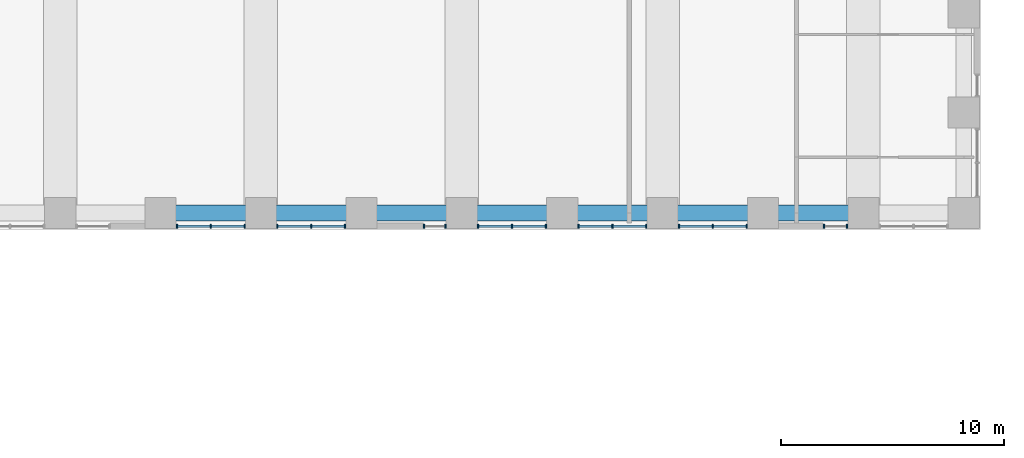
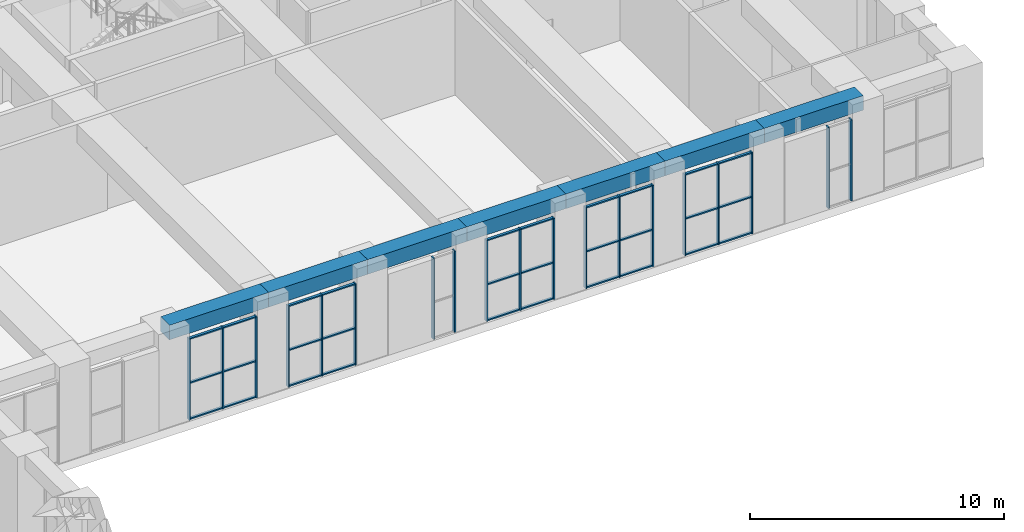
# One storey, part 6 of 34: 49 members, 7 beams, 7 elements without a shape of their own.
"""IFC4 building model written with IfcOpenShell, lengths in metres."""

from ifc_helpers import new_model, si_unit, direction, frame, origin, origin_2d, place, context, subcontext, project, spatial, rectangle, extrude, material, material_profile, profile_set, type_object, element, aggregate, save


model = new_model("IFC4")

# Units and contexts
model_context = context("Model", 3, precision=1e-05, world=origin(), true_north=direction((0.0, 1.0)))
body_context = subcontext(model_context, "Body", "Model", "MODEL_VIEW")
ifc_project = project(units=[si_unit("LENGTHUNIT", "METRE"), si_unit("AREAUNIT", "SQUARE_METRE"), si_unit("VOLUMEUNIT", "CUBIC_METRE"), si_unit("PLANEANGLEUNIT", "RADIAN"), si_unit("MASSUNIT", "GRAM", prefix="KILO")], contexts=[model_context])

# Site, building, storey
site_placement = place(None, origin())
site = spatial("IfcSite", under=ifc_project, at=site_placement, CompositionType="ELEMENT")
building_placement = place(site_placement, origin())
building = spatial("IfcBuilding", under=site, at=building_placement, Name="Firuza Court", CompositionType="ELEMENT")
storey_placement = place(building_placement, frame((0.0, 0.0, 14.0)))
storey = spatial("IfcBuildingStorey", under=building, at=storey_placement, Name="L02", CompositionType="ELEMENT", Elevation=14.0)

# Curtain wall, members
ifc_material_1 = material(Name="Aluminium curtain wall, triple clear glazing", Category="aluminium")
curtain_wall_type = type_object("IfcCurtainWallType", Name="Podium unitised curtain wall CW1", PredefinedType="NOTDEFINED", material=ifc_material_1)
curtain_wall_1_placement = place(storey_placement, origin())
curtain_wall_1 = element("IfcCurtainWall", 1, at=curtain_wall_1_placement, inside=storey, type_object=curtain_wall_type, Name="Podium unitised curtain wall CW1 L02", PredefinedType="NOTDEFINED")
ifc_material_2 = material(Name="Aluminium EN AW-6060 T66", Category="aluminium")
ifc_material_profile_1 = material_profile(ifc_material_2, rectangle(XDim=0.179931640625, YDim=0.06005859375, at=origin_2d()), Name="Mullion 180 x 60 CW1")
ifc_profile_set_1 = profile_set([ifc_material_profile_1], Name="Aluminium EN AW-6060 T66")
member_type_1 = type_object("IfcMemberType", Name="Mullion 180 x 60 CW1", PredefinedType="MULLION", material=ifc_profile_set_1)
member_1_placement = place(storey_placement, frame((32.22998046875, 35.39990234375, 0.0), z_axis=(0.0, 0.0, 1.0), x_axis=(0.0, 1.0, 0.0)))
member_1 = element("IfcMember", 2, at=member_1_placement, type_object=member_type_1, Name="CW1 mullion 1", PredefinedType="MULLION", context=body_context, shape_type="SweptSolid", body=[
    extrude(rectangle(XDim=0.179931640625, YDim=0.06005859375, at=origin_2d()), origin(), (0.0, 0.0, 1.0), 3.89990234375),
])
member_2_placement = place(storey_placement, frame((33.75, 35.39990234375, 0.0), z_axis=(0.0, 0.0, 1.0), x_axis=(0.0, 1.0, 0.0)))
member_2 = element("IfcMember", 3, at=member_2_placement, type_object=member_type_1, Name="CW1 mullion 2", PredefinedType="MULLION", context=body_context, shape_type="SweptSolid", body=[
    extrude(rectangle(XDim=0.179931640625, YDim=0.06005859375, at=origin_2d()), origin(), (0.0, 0.0, 1.0), 3.89990234375),
])
member_3_placement = place(storey_placement, frame((35.27001953125, 35.39990234375, 0.0), z_axis=(0.0, 0.0, 1.0), x_axis=(0.0, 1.0, 0.0)))
member_3 = element("IfcMember", 4, at=member_3_placement, type_object=member_type_1, Name="CW1 mullion 3", PredefinedType="MULLION", context=body_context, shape_type="SweptSolid", body=[
    extrude(rectangle(XDim=0.179931640625, YDim=0.06005859375, at=origin_2d()), origin(), (0.0, 0.0, 1.0), 3.89990234375),
])

curtain_wall_2_placement = place(storey_placement, origin())
curtain_wall_2 = element("IfcCurtainWall", 5, at=curtain_wall_2_placement, inside=storey, type_object=curtain_wall_type, Name="Podium unitised curtain wall CW1 L02", PredefinedType="NOTDEFINED")
member_4_placement = place(storey_placement, frame((36.72998046875, 35.39990234375, 0.0), z_axis=(0.0, 0.0, 1.0), x_axis=(0.0, 1.0, 0.0)))
member_4 = element("IfcMember", 6, at=member_4_placement, type_object=member_type_1, Name="CW1 mullion 1", PredefinedType="MULLION", context=body_context, shape_type="SweptSolid", body=[
    extrude(rectangle(XDim=0.179931640625, YDim=0.06005859375, at=origin_2d()), origin(), (0.0, 0.0, 1.0), 3.89990234375),
])
member_5_placement = place(storey_placement, frame((38.25, 35.39990234375, 0.0), z_axis=(0.0, 0.0, 1.0), x_axis=(0.0, 1.0, 0.0)))
member_5 = element("IfcMember", 7, at=member_5_placement, type_object=member_type_1, Name="CW1 mullion 2", PredefinedType="MULLION", context=body_context, shape_type="SweptSolid", body=[
    extrude(rectangle(XDim=0.179931640625, YDim=0.06005859375, at=origin_2d()), origin(), (0.0, 0.0, 1.0), 3.89990234375),
])
member_6_placement = place(storey_placement, frame((39.77001953125, 35.39990234375, 0.0), z_axis=(0.0, 0.0, 1.0), x_axis=(0.0, 1.0, 0.0)))
member_6 = element("IfcMember", 8, at=member_6_placement, type_object=member_type_1, Name="CW1 mullion 3", PredefinedType="MULLION", context=body_context, shape_type="SweptSolid", body=[
    extrude(rectangle(XDim=0.179931640625, YDim=0.06005859375, at=origin_2d()), origin(), (0.0, 0.0, 1.0), 3.89990234375),
])

curtain_wall_3_placement = place(storey_placement, origin())
curtain_wall_3 = element("IfcCurtainWall", 9, at=curtain_wall_3_placement, inside=storey, type_object=curtain_wall_type, Name="Podium unitised curtain wall CW1 L02", PredefinedType="NOTDEFINED")
member_7_placement = place(storey_placement, frame((43.306396484375, 35.39990234375, 0.0), z_axis=(0.0, 0.0, 1.0), x_axis=(0.0, 1.0, 0.0)))
member_7 = element("IfcMember", 10, at=member_7_placement, type_object=member_type_1, Name="CW1 mullion 1", PredefinedType="MULLION", context=body_context, shape_type="SweptSolid", body=[
    extrude(rectangle(XDim=0.179931640625, YDim=0.06005859375, at=origin_2d()), origin(), (0.0, 0.0, 1.0), 3.89990234375),
])
member_8_placement = place(storey_placement, frame((44.27001953125, 35.39990234375, 0.0), z_axis=(0.0, 0.0, 1.0), x_axis=(0.0, 1.0, 0.0)))
member_8 = element("IfcMember", 11, at=member_8_placement, type_object=member_type_1, Name="CW1 mullion 2", PredefinedType="MULLION", context=body_context, shape_type="SweptSolid", body=[
    extrude(rectangle(XDim=0.179931640625, YDim=0.06005859375, at=origin_2d()), origin(), (0.0, 0.0, 1.0), 3.89990234375),
])
aggregate(curtain_wall_3, [member_7, member_8])

curtain_wall_4_placement = place(storey_placement, origin())
curtain_wall_4 = element("IfcCurtainWall", 12, at=curtain_wall_4_placement, inside=storey, type_object=curtain_wall_type, Name="Podium unitised curtain wall CW1 L02", PredefinedType="NOTDEFINED")
member_9_placement = place(storey_placement, frame((45.72998046875, 35.39990234375, 0.0), z_axis=(0.0, 0.0, 1.0), x_axis=(0.0, 1.0, 0.0)))
member_9 = element("IfcMember", 13, at=member_9_placement, type_object=member_type_1, Name="CW1 mullion 1", PredefinedType="MULLION", context=body_context, shape_type="SweptSolid", body=[
    extrude(rectangle(XDim=0.179931640625, YDim=0.06005859375, at=origin_2d()), origin(), (0.0, 0.0, 1.0), 3.89990234375),
])
member_10_placement = place(storey_placement, frame((47.25, 35.39990234375, 0.0), z_axis=(0.0, 0.0, 1.0), x_axis=(0.0, 1.0, 0.0)))
member_10 = element("IfcMember", 14, at=member_10_placement, type_object=member_type_1, Name="CW1 mullion 2", PredefinedType="MULLION", context=body_context, shape_type="SweptSolid", body=[
    extrude(rectangle(XDim=0.179931640625, YDim=0.06005859375, at=origin_2d()), origin(), (0.0, 0.0, 1.0), 3.89990234375),
])
member_11_placement = place(storey_placement, frame((48.77001953125, 35.39990234375, 0.0), z_axis=(0.0, 0.0, 1.0), x_axis=(0.0, 1.0, 0.0)))
member_11 = element("IfcMember", 15, at=member_11_placement, type_object=member_type_1, Name="CW1 mullion 3", PredefinedType="MULLION", context=body_context, shape_type="SweptSolid", body=[
    extrude(rectangle(XDim=0.179931640625, YDim=0.06005859375, at=origin_2d()), origin(), (0.0, 0.0, 1.0), 3.89990234375),
])

curtain_wall_5_placement = place(storey_placement, origin())
curtain_wall_5 = element("IfcCurtainWall", 16, at=curtain_wall_5_placement, inside=storey, type_object=curtain_wall_type, Name="Podium unitised curtain wall CW1 L02", PredefinedType="NOTDEFINED")
member_12_placement = place(storey_placement, frame((50.22998046875, 35.39990234375, 0.0), z_axis=(0.0, 0.0, 1.0), x_axis=(0.0, 1.0, 0.0)))
member_12 = element("IfcMember", 17, at=member_12_placement, type_object=member_type_1, Name="CW1 mullion 1", PredefinedType="MULLION", context=body_context, shape_type="SweptSolid", body=[
    extrude(rectangle(XDim=0.179931640625, YDim=0.06005859375, at=origin_2d()), origin(), (0.0, 0.0, 1.0), 3.89990234375),
])
member_13_placement = place(storey_placement, frame((51.75, 35.39990234375, 0.0), z_axis=(0.0, 0.0, 1.0), x_axis=(0.0, 1.0, 0.0)))
member_13 = element("IfcMember", 18, at=member_13_placement, type_object=member_type_1, Name="CW1 mullion 2", PredefinedType="MULLION", context=body_context, shape_type="SweptSolid", body=[
    extrude(rectangle(XDim=0.179931640625, YDim=0.06005859375, at=origin_2d()), origin(), (0.0, 0.0, 1.0), 3.89990234375),
])
member_14_placement = place(storey_placement, frame((53.27001953125, 35.39990234375, 0.0), z_axis=(0.0, 0.0, 1.0), x_axis=(0.0, 1.0, 0.0)))
member_14 = element("IfcMember", 19, at=member_14_placement, type_object=member_type_1, Name="CW1 mullion 3", PredefinedType="MULLION", context=body_context, shape_type="SweptSolid", body=[
    extrude(rectangle(XDim=0.179931640625, YDim=0.06005859375, at=origin_2d()), origin(), (0.0, 0.0, 1.0), 3.89990234375),
])

curtain_wall_6_placement = place(storey_placement, origin())
curtain_wall_6 = element("IfcCurtainWall", 20, at=curtain_wall_6_placement, inside=storey, type_object=curtain_wall_type, Name="Podium unitised curtain wall CW1 L02", PredefinedType="NOTDEFINED")
member_15_placement = place(storey_placement, frame((54.72998046875, 35.39990234375, 0.0), z_axis=(0.0, 0.0, 1.0), x_axis=(0.0, 1.0, 0.0)))
member_15 = element("IfcMember", 21, at=member_15_placement, type_object=member_type_1, Name="CW1 mullion 1", PredefinedType="MULLION", context=body_context, shape_type="SweptSolid", body=[
    extrude(rectangle(XDim=0.179931640625, YDim=0.06005859375, at=origin_2d()), origin(), (0.0, 0.0, 1.0), 3.89990234375),
])
member_16_placement = place(storey_placement, frame((56.25, 35.39990234375, 0.0), z_axis=(0.0, 0.0, 1.0), x_axis=(0.0, 1.0, 0.0)))
member_16 = element("IfcMember", 22, at=member_16_placement, type_object=member_type_1, Name="CW1 mullion 2", PredefinedType="MULLION", context=body_context, shape_type="SweptSolid", body=[
    extrude(rectangle(XDim=0.179931640625, YDim=0.06005859375, at=origin_2d()), origin(), (0.0, 0.0, 1.0), 3.89990234375),
])
member_17_placement = place(storey_placement, frame((57.77001953125, 35.39990234375, 0.0), z_axis=(0.0, 0.0, 1.0), x_axis=(0.0, 1.0, 0.0)))
member_17 = element("IfcMember", 23, at=member_17_placement, type_object=member_type_1, Name="CW1 mullion 3", PredefinedType="MULLION", context=body_context, shape_type="SweptSolid", body=[
    extrude(rectangle(XDim=0.179931640625, YDim=0.06005859375, at=origin_2d()), origin(), (0.0, 0.0, 1.0), 3.89990234375),
])

curtain_wall_7_placement = place(storey_placement, origin())
curtain_wall_7 = element("IfcCurtainWall", 24, at=curtain_wall_7_placement, inside=storey, type_object=curtain_wall_type, Name="Podium unitised curtain wall CW1 L02", PredefinedType="NOTDEFINED")
member_18_placement = place(storey_placement, frame((61.228271484375, 35.39990234375, 0.0), z_axis=(0.0, 0.0, 1.0), x_axis=(0.0, 1.0, 0.0)))
member_18 = element("IfcMember", 25, at=member_18_placement, type_object=member_type_1, Name="CW1 mullion 1", PredefinedType="MULLION", context=body_context, shape_type="SweptSolid", body=[
    extrude(rectangle(XDim=0.179931640625, YDim=0.06005859375, at=origin_2d()), origin(), (0.0, 0.0, 1.0), 3.89990234375),
])
member_19_placement = place(storey_placement, frame((62.27001953125, 35.39990234375, 0.0), z_axis=(0.0, 0.0, 1.0), x_axis=(0.0, 1.0, 0.0)))
member_19 = element("IfcMember", 26, at=member_19_placement, type_object=member_type_1, Name="CW1 mullion 2", PredefinedType="MULLION", context=body_context, shape_type="SweptSolid", body=[
    extrude(rectangle(XDim=0.179931640625, YDim=0.06005859375, at=origin_2d()), origin(), (0.0, 0.0, 1.0), 3.89990234375),
])
aggregate(curtain_wall_7, [member_18, member_19])

# Beams
ifc_material_3 = material(Name="Concrete C40/50", Category="concrete")
ifc_material_profile_2 = material_profile(ifc_material_3, rectangle(XDim=0.699951171875, YDim=0.699951171875, at=origin_2d()), Name="RC 700x700")
ifc_profile_set_2 = profile_set([ifc_material_profile_2], Name="Concrete C40/50")
beam_type = type_object("IfcBeamType", Name="Spandrel beam RC 700x700 C40/50", PredefinedType="BEAM", material=ifc_profile_set_2)
for number, where, z_axis, x_axis, name in (
    (27, (31.5, 36.0, 4.25), (1.0, 0.0, 0.0), (0.0, 1.0, 0.0), "Spandrel beam SP8 level L03"),
    (28, (36.0, 36.0, 4.25), (1.0, 0.0, 0.0), (0.0, 1.0, 0.0), "Spandrel beam SP8 level L03"),
    (29, (40.5, 36.0, 4.25), (1.0, 0.0, 0.0), (0.0, 1.0, 0.0), "Spandrel beam SP8 level L03"),
    (30, (45.0, 36.0, 4.25), (1.0, 0.0, 0.0), (0.0, 1.0, 0.0), "Spandrel beam SP8 level L03"),
    (31, (49.5, 36.0, 4.25), (1.0, 0.0, 0.0), (0.0, 1.0, 0.0), "Spandrel beam SP8 level L03"),
    (32, (54.0, 36.0, 4.25), (1.0, 0.0, 0.0), (0.0, 1.0, 0.0), "Spandrel beam SP8 level L03"),
    (33, (58.5, 36.0, 4.25), (1.0, 0.0, 0.0), (0.0, 1.0, 0.0), "Spandrel beam SP8 level L03"),
):
    element("IfcBeam", number, at=place(storey_placement, frame(where, z_axis=z_axis, x_axis=x_axis)), inside=storey, type_object=beam_type, Name=name, PredefinedType="BEAM", context=body_context, shape_type="SweptSolid", body=[
        extrude(rectangle(XDim=0.699951171875, YDim=0.699951171875, at=origin_2d()), origin(), (0.0, 0.0, 1.0), 4.5),
    ])

# Member
ifc_material_4 = material(Name="Aluminium EN AW-6060 T66", Category="aluminium")
ifc_material_profile_3 = material_profile(ifc_material_4, rectangle(XDim=0.1201171875, YDim=0.06005859375, at=origin_2d()), Name="Transom 120 x 60 CW1")
ifc_profile_set_3 = profile_set([ifc_material_profile_3], Name="Aluminium EN AW-6060 T66")
member_type_2 = type_object("IfcMemberType", Name="Transom 120 x 60 CW1", PredefinedType="USERDEFINED", material=ifc_profile_set_3)
member_20_placement = place(storey_placement, frame((32.260009765625, 35.39990234375, 0.030029296875), z_axis=(1.0, 0.0, 0.0), x_axis=(0.0, 1.0, 0.0)))
member_20 = element("IfcMember", 34, at=member_20_placement, type_object=member_type_2, Name="CW1 transom 1.1", ObjectType="TRANSOM", PredefinedType="USERDEFINED", context=body_context, shape_type="SweptSolid", body=[
    extrude(rectangle(XDim=0.1201171875, YDim=0.06005859375, at=origin_2d()), origin(), (0.0, 0.0, 1.0), 1.4599609375),
])

member_21_placement = place(storey_placement, frame((32.260009765625, 35.39990234375, 1.7548828125), z_axis=(1.0, 0.0, 0.0), x_axis=(0.0, 1.0, 0.0)))
member_21 = element("IfcMember", 35, at=member_21_placement, type_object=member_type_2, Name="CW1 transom 1.2", ObjectType="TRANSOM", PredefinedType="USERDEFINED", context=body_context, shape_type="SweptSolid", body=[
    extrude(rectangle(XDim=0.1201171875, YDim=0.06005859375, at=origin_2d()), origin(), (0.0, 0.0, 1.0), 1.4599609375),
])

member_22_placement = place(storey_placement, frame((32.260009765625, 35.39990234375, 3.8701171875), z_axis=(1.0, 0.0, 0.0), x_axis=(0.0, 1.0, 0.0)))
member_22 = element("IfcMember", 36, at=member_22_placement, type_object=member_type_2, Name="CW1 transom 1.3", ObjectType="TRANSOM", PredefinedType="USERDEFINED", context=body_context, shape_type="SweptSolid", body=[
    extrude(rectangle(XDim=0.1201171875, YDim=0.06005859375, at=origin_2d()), origin(), (0.0, 0.0, 1.0), 1.4599609375),
])

member_23_placement = place(storey_placement, frame((33.780029296875, 35.39990234375, 0.030029296875), z_axis=(1.0, 0.0, 0.0), x_axis=(0.0, 1.0, 0.0)))
member_23 = element("IfcMember", 37, at=member_23_placement, type_object=member_type_2, Name="CW1 transom 2.1", ObjectType="TRANSOM", PredefinedType="USERDEFINED", context=body_context, shape_type="SweptSolid", body=[
    extrude(rectangle(XDim=0.1201171875, YDim=0.06005859375, at=origin_2d()), origin(), (0.0, 0.0, 1.0), 1.4599609375),
])

member_24_placement = place(storey_placement, frame((33.780029296875, 35.39990234375, 1.7548828125), z_axis=(1.0, 0.0, 0.0), x_axis=(0.0, 1.0, 0.0)))
member_24 = element("IfcMember", 38, at=member_24_placement, type_object=member_type_2, Name="CW1 transom 2.2", ObjectType="TRANSOM", PredefinedType="USERDEFINED", context=body_context, shape_type="SweptSolid", body=[
    extrude(rectangle(XDim=0.1201171875, YDim=0.06005859375, at=origin_2d()), origin(), (0.0, 0.0, 1.0), 1.4599609375),
])

member_25_placement = place(storey_placement, frame((33.780029296875, 35.39990234375, 3.8701171875), z_axis=(1.0, 0.0, 0.0), x_axis=(0.0, 1.0, 0.0)))
member_25 = element("IfcMember", 39, at=member_25_placement, type_object=member_type_2, Name="CW1 transom 2.3", ObjectType="TRANSOM", PredefinedType="USERDEFINED", context=body_context, shape_type="SweptSolid", body=[
    extrude(rectangle(XDim=0.1201171875, YDim=0.06005859375, at=origin_2d()), origin(), (0.0, 0.0, 1.0), 1.4599609375),
])

aggregate(curtain_wall_1, [member_1, member_2, member_3, member_20, member_21, member_22, member_23, member_24, member_25])

member_26_placement = place(storey_placement, frame((36.760009765625, 35.39990234375, 0.030029296875), z_axis=(1.0, 0.0, 0.0), x_axis=(0.0, 1.0, 0.0)))
member_26 = element("IfcMember", 40, at=member_26_placement, type_object=member_type_2, Name="CW1 transom 1.1", ObjectType="TRANSOM", PredefinedType="USERDEFINED", context=body_context, shape_type="SweptSolid", body=[
    extrude(rectangle(XDim=0.1201171875, YDim=0.06005859375, at=origin_2d()), origin(), (0.0, 0.0, 1.0), 1.4599609375),
])

member_27_placement = place(storey_placement, frame((36.760009765625, 35.39990234375, 1.7548828125), z_axis=(1.0, 0.0, 0.0), x_axis=(0.0, 1.0, 0.0)))
member_27 = element("IfcMember", 41, at=member_27_placement, type_object=member_type_2, Name="CW1 transom 1.2", ObjectType="TRANSOM", PredefinedType="USERDEFINED", context=body_context, shape_type="SweptSolid", body=[
    extrude(rectangle(XDim=0.1201171875, YDim=0.06005859375, at=origin_2d()), origin(), (0.0, 0.0, 1.0), 1.4599609375),
])

member_28_placement = place(storey_placement, frame((36.760009765625, 35.39990234375, 3.8701171875), z_axis=(1.0, 0.0, 0.0), x_axis=(0.0, 1.0, 0.0)))
member_28 = element("IfcMember", 42, at=member_28_placement, type_object=member_type_2, Name="CW1 transom 1.3", ObjectType="TRANSOM", PredefinedType="USERDEFINED", context=body_context, shape_type="SweptSolid", body=[
    extrude(rectangle(XDim=0.1201171875, YDim=0.06005859375, at=origin_2d()), origin(), (0.0, 0.0, 1.0), 1.4599609375),
])

member_29_placement = place(storey_placement, frame((38.280029296875, 35.39990234375, 0.030029296875), z_axis=(1.0, 0.0, 0.0), x_axis=(0.0, 1.0, 0.0)))
member_29 = element("IfcMember", 43, at=member_29_placement, type_object=member_type_2, Name="CW1 transom 2.1", ObjectType="TRANSOM", PredefinedType="USERDEFINED", context=body_context, shape_type="SweptSolid", body=[
    extrude(rectangle(XDim=0.1201171875, YDim=0.06005859375, at=origin_2d()), origin(), (0.0, 0.0, 1.0), 1.4599609375),
])

member_30_placement = place(storey_placement, frame((38.280029296875, 35.39990234375, 1.7548828125), z_axis=(1.0, 0.0, 0.0), x_axis=(0.0, 1.0, 0.0)))
member_30 = element("IfcMember", 44, at=member_30_placement, type_object=member_type_2, Name="CW1 transom 2.2", ObjectType="TRANSOM", PredefinedType="USERDEFINED", context=body_context, shape_type="SweptSolid", body=[
    extrude(rectangle(XDim=0.1201171875, YDim=0.06005859375, at=origin_2d()), origin(), (0.0, 0.0, 1.0), 1.4599609375),
])

member_31_placement = place(storey_placement, frame((38.280029296875, 35.39990234375, 3.8701171875), z_axis=(1.0, 0.0, 0.0), x_axis=(0.0, 1.0, 0.0)))
member_31 = element("IfcMember", 45, at=member_31_placement, type_object=member_type_2, Name="CW1 transom 2.3", ObjectType="TRANSOM", PredefinedType="USERDEFINED", context=body_context, shape_type="SweptSolid", body=[
    extrude(rectangle(XDim=0.1201171875, YDim=0.06005859375, at=origin_2d()), origin(), (0.0, 0.0, 1.0), 1.4599609375),
])

aggregate(curtain_wall_2, [member_4, member_5, member_6, member_26, member_27, member_28, member_29, member_30, member_31])

member_32_placement = place(storey_placement, frame((45.760009765625, 35.39990234375, 0.030029296875), z_axis=(1.0, 0.0, 0.0), x_axis=(0.0, 1.0, 0.0)))
member_32 = element("IfcMember", 46, at=member_32_placement, type_object=member_type_2, Name="CW1 transom 1.1", ObjectType="TRANSOM", PredefinedType="USERDEFINED", context=body_context, shape_type="SweptSolid", body=[
    extrude(rectangle(XDim=0.1201171875, YDim=0.06005859375, at=origin_2d()), origin(), (0.0, 0.0, 1.0), 1.4599609375),
])

member_33_placement = place(storey_placement, frame((45.760009765625, 35.39990234375, 1.7548828125), z_axis=(1.0, 0.0, 0.0), x_axis=(0.0, 1.0, 0.0)))
member_33 = element("IfcMember", 47, at=member_33_placement, type_object=member_type_2, Name="CW1 transom 1.2", ObjectType="TRANSOM", PredefinedType="USERDEFINED", context=body_context, shape_type="SweptSolid", body=[
    extrude(rectangle(XDim=0.1201171875, YDim=0.06005859375, at=origin_2d()), origin(), (0.0, 0.0, 1.0), 1.4599609375),
])

member_34_placement = place(storey_placement, frame((45.760009765625, 35.39990234375, 3.8701171875), z_axis=(1.0, 0.0, 0.0), x_axis=(0.0, 1.0, 0.0)))
member_34 = element("IfcMember", 48, at=member_34_placement, type_object=member_type_2, Name="CW1 transom 1.3", ObjectType="TRANSOM", PredefinedType="USERDEFINED", context=body_context, shape_type="SweptSolid", body=[
    extrude(rectangle(XDim=0.1201171875, YDim=0.06005859375, at=origin_2d()), origin(), (0.0, 0.0, 1.0), 1.4599609375),
])

member_35_placement = place(storey_placement, frame((47.280029296875, 35.39990234375, 0.030029296875), z_axis=(1.0, 0.0, 0.0), x_axis=(0.0, 1.0, 0.0)))
member_35 = element("IfcMember", 49, at=member_35_placement, type_object=member_type_2, Name="CW1 transom 2.1", ObjectType="TRANSOM", PredefinedType="USERDEFINED", context=body_context, shape_type="SweptSolid", body=[
    extrude(rectangle(XDim=0.1201171875, YDim=0.06005859375, at=origin_2d()), origin(), (0.0, 0.0, 1.0), 1.4599609375),
])

member_36_placement = place(storey_placement, frame((47.280029296875, 35.39990234375, 1.7548828125), z_axis=(1.0, 0.0, 0.0), x_axis=(0.0, 1.0, 0.0)))
member_36 = element("IfcMember", 50, at=member_36_placement, type_object=member_type_2, Name="CW1 transom 2.2", ObjectType="TRANSOM", PredefinedType="USERDEFINED", context=body_context, shape_type="SweptSolid", body=[
    extrude(rectangle(XDim=0.1201171875, YDim=0.06005859375, at=origin_2d()), origin(), (0.0, 0.0, 1.0), 1.4599609375),
])

member_37_placement = place(storey_placement, frame((47.280029296875, 35.39990234375, 3.8701171875), z_axis=(1.0, 0.0, 0.0), x_axis=(0.0, 1.0, 0.0)))
member_37 = element("IfcMember", 51, at=member_37_placement, type_object=member_type_2, Name="CW1 transom 2.3", ObjectType="TRANSOM", PredefinedType="USERDEFINED", context=body_context, shape_type="SweptSolid", body=[
    extrude(rectangle(XDim=0.1201171875, YDim=0.06005859375, at=origin_2d()), origin(), (0.0, 0.0, 1.0), 1.4599609375),
])

aggregate(curtain_wall_4, [member_9, member_10, member_11, member_32, member_33, member_34, member_35, member_36, member_37])

member_38_placement = place(storey_placement, frame((50.260009765625, 35.39990234375, 0.030029296875), z_axis=(1.0, 0.0, 0.0), x_axis=(0.0, 1.0, 0.0)))
member_38 = element("IfcMember", 52, at=member_38_placement, type_object=member_type_2, Name="CW1 transom 1.1", ObjectType="TRANSOM", PredefinedType="USERDEFINED", context=body_context, shape_type="SweptSolid", body=[
    extrude(rectangle(XDim=0.1201171875, YDim=0.06005859375, at=origin_2d()), origin(), (0.0, 0.0, 1.0), 1.4599609375),
])

member_39_placement = place(storey_placement, frame((50.260009765625, 35.39990234375, 1.7548828125), z_axis=(1.0, 0.0, 0.0), x_axis=(0.0, 1.0, 0.0)))
member_39 = element("IfcMember", 53, at=member_39_placement, type_object=member_type_2, Name="CW1 transom 1.2", ObjectType="TRANSOM", PredefinedType="USERDEFINED", context=body_context, shape_type="SweptSolid", body=[
    extrude(rectangle(XDim=0.1201171875, YDim=0.06005859375, at=origin_2d()), origin(), (0.0, 0.0, 1.0), 1.4599609375),
])

member_40_placement = place(storey_placement, frame((50.260009765625, 35.39990234375, 3.8701171875), z_axis=(1.0, 0.0, 0.0), x_axis=(0.0, 1.0, 0.0)))
member_40 = element("IfcMember", 54, at=member_40_placement, type_object=member_type_2, Name="CW1 transom 1.3", ObjectType="TRANSOM", PredefinedType="USERDEFINED", context=body_context, shape_type="SweptSolid", body=[
    extrude(rectangle(XDim=0.1201171875, YDim=0.06005859375, at=origin_2d()), origin(), (0.0, 0.0, 1.0), 1.4599609375),
])

member_41_placement = place(storey_placement, frame((51.780029296875, 35.39990234375, 0.030029296875), z_axis=(1.0, 0.0, 0.0), x_axis=(0.0, 1.0, 0.0)))
member_41 = element("IfcMember", 55, at=member_41_placement, type_object=member_type_2, Name="CW1 transom 2.1", ObjectType="TRANSOM", PredefinedType="USERDEFINED", context=body_context, shape_type="SweptSolid", body=[
    extrude(rectangle(XDim=0.1201171875, YDim=0.06005859375, at=origin_2d()), origin(), (0.0, 0.0, 1.0), 1.4599609375),
])

member_42_placement = place(storey_placement, frame((51.780029296875, 35.39990234375, 1.7548828125), z_axis=(1.0, 0.0, 0.0), x_axis=(0.0, 1.0, 0.0)))
member_42 = element("IfcMember", 56, at=member_42_placement, type_object=member_type_2, Name="CW1 transom 2.2", ObjectType="TRANSOM", PredefinedType="USERDEFINED", context=body_context, shape_type="SweptSolid", body=[
    extrude(rectangle(XDim=0.1201171875, YDim=0.06005859375, at=origin_2d()), origin(), (0.0, 0.0, 1.0), 1.4599609375),
])

member_43_placement = place(storey_placement, frame((51.780029296875, 35.39990234375, 3.8701171875), z_axis=(1.0, 0.0, 0.0), x_axis=(0.0, 1.0, 0.0)))
member_43 = element("IfcMember", 57, at=member_43_placement, type_object=member_type_2, Name="CW1 transom 2.3", ObjectType="TRANSOM", PredefinedType="USERDEFINED", context=body_context, shape_type="SweptSolid", body=[
    extrude(rectangle(XDim=0.1201171875, YDim=0.06005859375, at=origin_2d()), origin(), (0.0, 0.0, 1.0), 1.4599609375),
])

aggregate(curtain_wall_5, [member_12, member_13, member_14, member_38, member_39, member_40, member_41, member_42, member_43])

member_44_placement = place(storey_placement, frame((54.760009765625, 35.39990234375, 0.030029296875), z_axis=(1.0, 0.0, 0.0), x_axis=(0.0, 1.0, 0.0)))
member_44 = element("IfcMember", 58, at=member_44_placement, type_object=member_type_2, Name="CW1 transom 1.1", ObjectType="TRANSOM", PredefinedType="USERDEFINED", context=body_context, shape_type="SweptSolid", body=[
    extrude(rectangle(XDim=0.1201171875, YDim=0.06005859375, at=origin_2d()), origin(), (0.0, 0.0, 1.0), 1.4599609375),
])

member_45_placement = place(storey_placement, frame((54.760009765625, 35.39990234375, 1.7548828125), z_axis=(1.0, 0.0, 0.0), x_axis=(0.0, 1.0, 0.0)))
member_45 = element("IfcMember", 59, at=member_45_placement, type_object=member_type_2, Name="CW1 transom 1.2", ObjectType="TRANSOM", PredefinedType="USERDEFINED", context=body_context, shape_type="SweptSolid", body=[
    extrude(rectangle(XDim=0.1201171875, YDim=0.06005859375, at=origin_2d()), origin(), (0.0, 0.0, 1.0), 1.4599609375),
])

member_46_placement = place(storey_placement, frame((54.760009765625, 35.39990234375, 3.8701171875), z_axis=(1.0, 0.0, 0.0), x_axis=(0.0, 1.0, 0.0)))
member_46 = element("IfcMember", 60, at=member_46_placement, type_object=member_type_2, Name="CW1 transom 1.3", ObjectType="TRANSOM", PredefinedType="USERDEFINED", context=body_context, shape_type="SweptSolid", body=[
    extrude(rectangle(XDim=0.1201171875, YDim=0.06005859375, at=origin_2d()), origin(), (0.0, 0.0, 1.0), 1.4599609375),
])

member_47_placement = place(storey_placement, frame((56.280029296875, 35.39990234375, 0.030029296875), z_axis=(1.0, 0.0, 0.0), x_axis=(0.0, 1.0, 0.0)))
member_47 = element("IfcMember", 61, at=member_47_placement, type_object=member_type_2, Name="CW1 transom 2.1", ObjectType="TRANSOM", PredefinedType="USERDEFINED", context=body_context, shape_type="SweptSolid", body=[
    extrude(rectangle(XDim=0.1201171875, YDim=0.06005859375, at=origin_2d()), origin(), (0.0, 0.0, 1.0), 1.4599609375),
])

member_48_placement = place(storey_placement, frame((56.280029296875, 35.39990234375, 1.7548828125), z_axis=(1.0, 0.0, 0.0), x_axis=(0.0, 1.0, 0.0)))
member_48 = element("IfcMember", 62, at=member_48_placement, type_object=member_type_2, Name="CW1 transom 2.2", ObjectType="TRANSOM", PredefinedType="USERDEFINED", context=body_context, shape_type="SweptSolid", body=[
    extrude(rectangle(XDim=0.1201171875, YDim=0.06005859375, at=origin_2d()), origin(), (0.0, 0.0, 1.0), 1.4599609375),
])

member_49_placement = place(storey_placement, frame((56.280029296875, 35.39990234375, 3.8701171875), z_axis=(1.0, 0.0, 0.0), x_axis=(0.0, 1.0, 0.0)))
member_49 = element("IfcMember", 63, at=member_49_placement, type_object=member_type_2, Name="CW1 transom 2.3", ObjectType="TRANSOM", PredefinedType="USERDEFINED", context=body_context, shape_type="SweptSolid", body=[
    extrude(rectangle(XDim=0.1201171875, YDim=0.06005859375, at=origin_2d()), origin(), (0.0, 0.0, 1.0), 1.4599609375),
])

aggregate(curtain_wall_6, [member_15, member_16, member_17, member_44, member_45, member_46, member_47, member_48, member_49])

save(model, "model.ifc")
